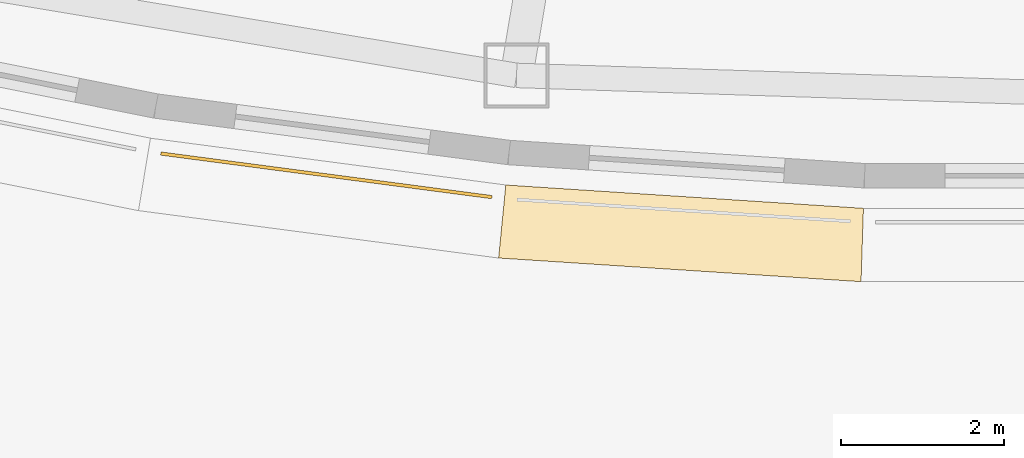
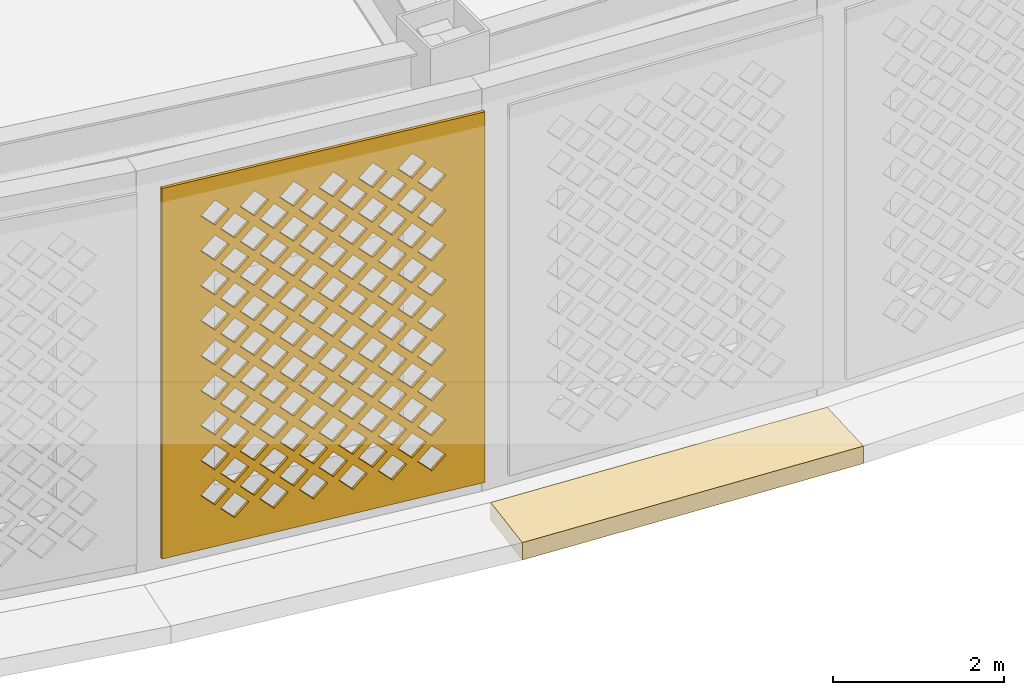
# One storey, part 55 of 74: 2 coverings.
"""IFC4 building model written with IfcOpenShell, lengths in metres."""

from ifc_helpers import new_model, si_unit, direction, frame, origin, place, context, subcontext, project, spatial, polyline, outline, extrude, material, layer, layer_set, type_object, element, save


model = new_model("IFC4")

# Units and contexts
model_context = context("Model", 3, precision=1e-05, world=origin(), true_north=direction((0.0, 1.0)))
body_context = subcontext(model_context, "Body", "Model", "MODEL_VIEW")
ifc_project = project(units=[si_unit("LENGTHUNIT", "METRE"), si_unit("AREAUNIT", "SQUARE_METRE"), si_unit("VOLUMEUNIT", "CUBIC_METRE"), si_unit("PLANEANGLEUNIT", "RADIAN"), si_unit("MASSUNIT", "GRAM", prefix="KILO")], contexts=[model_context])

# Site, building, storey
site_placement = place(None, origin())
site = spatial("IfcSite", under=ifc_project, at=site_placement, CompositionType="ELEMENT")
building_placement = place(site_placement, origin())
building = spatial("IfcBuilding", under=site, at=building_placement, Name="Noorbagh Ring Tower", CompositionType="ELEMENT")
storey_placement = place(building_placement, frame((0.0, 0.0, 7.5)))
storey = spatial("IfcBuildingStorey", under=building, at=storey_placement, Name="L01", CompositionType="ELEMENT", Elevation=7.5)

# Coverings
ifc_material_1 = material(Name="Red sandstone eave", Category="masonry")
covering_type_1 = type_object("IfcCoveringType", Name="STY-CHHAJJA", PredefinedType="USERDEFINED", material=ifc_material_1)
covering_1_placement = place(storey_placement, frame((0.0, 0.0, -0.25)))
element("IfcCovering", 1, at=covering_1_placement, inside=storey, type_object=covering_type_1, Name="Chhajja eave", ObjectType="CHHAJJA", PredefinedType="USERDEFINED", context=body_context, shape_type="SweptSolid", body=[
    extrude(outline(polyline([(-6.586181640625, -39.677978515625), (-2.198486328125, -39.964111328125), (-2.227783203125, -40.8642578125), (-6.67431640625, -40.573974609375), (-6.586181640625, -39.677978515625)])), origin(), (0.0, 0.0, 1.0), 0.25),
])
ifc_material_2 = material(Name="Red sandstone jali", Category="masonry")
ifc_layer = layer(ifc_material_2, 0.0400390625)
ifc_layer_set = layer_set([ifc_layer], Name="Red sandstone jali")
covering_type_2 = type_object("IfcCoveringType", Name="STY-JALI", PredefinedType="USERDEFINED", material=ifc_layer_set)
covering_2_placement = place(storey_placement, frame((-10.82177734375, -39.311767578125, 0.449951171875), z_axis=(-0.130559329934, -0.991440498148, 0.0), x_axis=(0.991440498148, -0.130559329934, 0.0)))
element("IfcCovering", 2, at=covering_2_placement, inside=storey, type_object=covering_type_2, Name="Jali screen", ObjectType="SCREEN", PredefinedType="USERDEFINED", context=body_context, shape_type="SweptSolid", body=[
    extrude(outline(polyline([(0.0, 0.0), (4.09716796875, 0.0), (4.09716796875, 5.300048828125), (0.0, 5.300048828125), (0.0, 0.0)]), holes=[polyline([(0.743408203125, 0.52490234375), (0.923583984375, 0.344970703125), (1.103515625, 0.52490234375), (0.923583984375, 0.705078125), (0.743408203125, 0.52490234375)]), polyline([(1.243408203125, 0.52490234375), (1.423583984375, 0.344970703125), (1.603515625, 0.52490234375), (1.423583984375, 0.705078125), (1.243408203125, 0.52490234375)]), polyline([(1.743408203125, 0.52490234375), (1.923583984375, 0.344970703125), (2.103515625, 0.52490234375), (1.923583984375, 0.705078125), (1.743408203125, 0.52490234375)]), polyline([(2.243408203125, 0.52490234375), (2.423583984375, 0.344970703125), (2.603515625, 0.52490234375), (2.423583984375, 0.705078125), (2.243408203125, 0.52490234375)]), polyline([(2.743408203125, 0.52490234375), (2.923583984375, 0.344970703125), (3.103515625, 0.52490234375), (2.923583984375, 0.705078125), (2.743408203125, 0.52490234375)]), polyline([(3.243408203125, 0.52490234375), (3.423583984375, 0.344970703125), (3.603515625, 0.52490234375), (3.423583984375, 0.705078125), (3.243408203125, 0.52490234375)]), polyline([(0.493408203125, 0.77490234375), (0.673583984375, 0.594970703125), (0.853515625, 0.77490234375), (0.673583984375, 0.955078125), (0.493408203125, 0.77490234375)]), polyline([(0.993408203125, 0.77490234375), (1.173583984375, 0.594970703125), (1.353515625, 0.77490234375), (1.173583984375, 0.955078125), (0.993408203125, 0.77490234375)]), polyline([(1.493408203125, 0.77490234375), (1.673583984375, 0.594970703125), (1.853515625, 0.77490234375), (1.673583984375, 0.955078125), (1.493408203125, 0.77490234375)]), polyline([(1.993408203125, 0.77490234375), (2.173583984375, 0.594970703125), (2.353515625, 0.77490234375), (2.173583984375, 0.955078125), (1.993408203125, 0.77490234375)]), polyline([(2.493408203125, 0.77490234375), (2.673583984375, 0.594970703125), (2.853515625, 0.77490234375), (2.673583984375, 0.955078125), (2.493408203125, 0.77490234375)]), polyline([(2.993408203125, 0.77490234375), (3.173583984375, 0.594970703125), (3.353515625, 0.77490234375), (3.173583984375, 0.955078125), (2.993408203125, 0.77490234375)]), polyline([(0.743408203125, 1.02490234375), (0.923583984375, 0.844970703125), (1.103515625, 1.02490234375), (0.923583984375, 1.205078125), (0.743408203125, 1.02490234375)]), polyline([(1.243408203125, 1.02490234375), (1.423583984375, 0.844970703125), (1.603515625, 1.02490234375), (1.423583984375, 1.205078125), (1.243408203125, 1.02490234375)]), polyline([(1.743408203125, 1.02490234375), (1.923583984375, 0.844970703125), (2.103515625, 1.02490234375), (1.923583984375, 1.205078125), (1.743408203125, 1.02490234375)]), polyline([(2.243408203125, 1.02490234375), (2.423583984375, 0.844970703125), (2.603515625, 1.02490234375), (2.423583984375, 1.205078125), (2.243408203125, 1.02490234375)]), polyline([(2.743408203125, 1.02490234375), (2.923583984375, 0.844970703125), (3.103515625, 1.02490234375), (2.923583984375, 1.205078125), (2.743408203125, 1.02490234375)]), polyline([(3.243408203125, 1.02490234375), (3.423583984375, 0.844970703125), (3.603515625, 1.02490234375), (3.423583984375, 1.205078125), (3.243408203125, 1.02490234375)]), polyline([(0.493408203125, 1.27490234375), (0.673583984375, 1.094970703125), (0.853515625, 1.27490234375), (0.673583984375, 1.455078125), (0.493408203125, 1.27490234375)]), polyline([(0.993408203125, 1.27490234375), (1.173583984375, 1.094970703125), (1.353515625, 1.27490234375), (1.173583984375, 1.455078125), (0.993408203125, 1.27490234375)]), polyline([(1.493408203125, 1.27490234375), (1.673583984375, 1.094970703125), (1.853515625, 1.27490234375), (1.673583984375, 1.455078125), (1.493408203125, 1.27490234375)]), polyline([(1.993408203125, 1.27490234375), (2.173583984375, 1.094970703125), (2.353515625, 1.27490234375), (2.173583984375, 1.455078125), (1.993408203125, 1.27490234375)]), polyline([(2.493408203125, 1.27490234375), (2.673583984375, 1.094970703125), (2.853515625, 1.27490234375), (2.673583984375, 1.455078125), (2.493408203125, 1.27490234375)]), polyline([(2.993408203125, 1.27490234375), (3.173583984375, 1.094970703125), (3.353515625, 1.27490234375), (3.173583984375, 1.455078125), (2.993408203125, 1.27490234375)]), polyline([(0.743408203125, 1.52490234375), (0.923583984375, 1.344970703125), (1.103515625, 1.52490234375), (0.923583984375, 1.705078125), (0.743408203125, 1.52490234375)]), polyline([(1.243408203125, 1.52490234375), (1.423583984375, 1.344970703125), (1.603515625, 1.52490234375), (1.423583984375, 1.705078125), (1.243408203125, 1.52490234375)]), polyline([(1.743408203125, 1.52490234375), (1.923583984375, 1.344970703125), (2.103515625, 1.52490234375), (1.923583984375, 1.705078125), (1.743408203125, 1.52490234375)]), polyline([(2.243408203125, 1.52490234375), (2.423583984375, 1.344970703125), (2.603515625, 1.52490234375), (2.423583984375, 1.705078125), (2.243408203125, 1.52490234375)]), polyline([(2.743408203125, 1.52490234375), (2.923583984375, 1.344970703125), (3.103515625, 1.52490234375), (2.923583984375, 1.705078125), (2.743408203125, 1.52490234375)]), polyline([(3.243408203125, 1.52490234375), (3.423583984375, 1.344970703125), (3.603515625, 1.52490234375), (3.423583984375, 1.705078125), (3.243408203125, 1.52490234375)]), polyline([(0.493408203125, 1.77490234375), (0.673583984375, 1.594970703125), (0.853515625, 1.77490234375), (0.673583984375, 1.955078125), (0.493408203125, 1.77490234375)]), polyline([(0.993408203125, 1.77490234375), (1.173583984375, 1.594970703125), (1.353515625, 1.77490234375), (1.173583984375, 1.955078125), (0.993408203125, 1.77490234375)]), polyline([(1.493408203125, 1.77490234375), (1.673583984375, 1.594970703125), (1.853515625, 1.77490234375), (1.673583984375, 1.955078125), (1.493408203125, 1.77490234375)]), polyline([(1.993408203125, 1.77490234375), (2.173583984375, 1.594970703125), (2.353515625, 1.77490234375), (2.173583984375, 1.955078125), (1.993408203125, 1.77490234375)]), polyline([(2.493408203125, 1.77490234375), (2.673583984375, 1.594970703125), (2.853515625, 1.77490234375), (2.673583984375, 1.955078125), (2.493408203125, 1.77490234375)]), polyline([(2.993408203125, 1.77490234375), (3.173583984375, 1.594970703125), (3.353515625, 1.77490234375), (3.173583984375, 1.955078125), (2.993408203125, 1.77490234375)]), polyline([(0.743408203125, 2.02490234375), (0.923583984375, 1.844970703125), (1.103515625, 2.02490234375), (0.923583984375, 2.205078125), (0.743408203125, 2.02490234375)]), polyline([(1.243408203125, 2.02490234375), (1.423583984375, 1.844970703125), (1.603515625, 2.02490234375), (1.423583984375, 2.205078125), (1.243408203125, 2.02490234375)]), polyline([(1.743408203125, 2.02490234375), (1.923583984375, 1.844970703125), (2.103515625, 2.02490234375), (1.923583984375, 2.205078125), (1.743408203125, 2.02490234375)]), polyline([(2.243408203125, 2.02490234375), (2.423583984375, 1.844970703125), (2.603515625, 2.02490234375), (2.423583984375, 2.205078125), (2.243408203125, 2.02490234375)]), polyline([(2.743408203125, 2.02490234375), (2.923583984375, 1.844970703125), (3.103515625, 2.02490234375), (2.923583984375, 2.205078125), (2.743408203125, 2.02490234375)]), polyline([(3.243408203125, 2.02490234375), (3.423583984375, 1.844970703125), (3.603515625, 2.02490234375), (3.423583984375, 2.205078125), (3.243408203125, 2.02490234375)]), polyline([(0.493408203125, 2.27490234375), (0.673583984375, 2.094970703125), (0.853515625, 2.27490234375), (0.673583984375, 2.455078125), (0.493408203125, 2.27490234375)]), polyline([(0.993408203125, 2.27490234375), (1.173583984375, 2.094970703125), (1.353515625, 2.27490234375), (1.173583984375, 2.455078125), (0.993408203125, 2.27490234375)]), polyline([(1.493408203125, 2.27490234375), (1.673583984375, 2.094970703125), (1.853515625, 2.27490234375), (1.673583984375, 2.455078125), (1.493408203125, 2.27490234375)]), polyline([(1.993408203125, 2.27490234375), (2.173583984375, 2.094970703125), (2.353515625, 2.27490234375), (2.173583984375, 2.455078125), (1.993408203125, 2.27490234375)]), polyline([(2.493408203125, 2.27490234375), (2.673583984375, 2.094970703125), (2.853515625, 2.27490234375), (2.673583984375, 2.455078125), (2.493408203125, 2.27490234375)]), polyline([(2.993408203125, 2.27490234375), (3.173583984375, 2.094970703125), (3.353515625, 2.27490234375), (3.173583984375, 2.455078125), (2.993408203125, 2.27490234375)]), polyline([(0.743408203125, 2.52490234375), (0.923583984375, 2.344970703125), (1.103515625, 2.52490234375), (0.923583984375, 2.705078125), (0.743408203125, 2.52490234375)]), polyline([(1.243408203125, 2.52490234375), (1.423583984375, 2.344970703125), (1.603515625, 2.52490234375), (1.423583984375, 2.705078125), (1.243408203125, 2.52490234375)]), polyline([(1.743408203125, 2.52490234375), (1.923583984375, 2.344970703125), (2.103515625, 2.52490234375), (1.923583984375, 2.705078125), (1.743408203125, 2.52490234375)]), polyline([(2.243408203125, 2.52490234375), (2.423583984375, 2.344970703125), (2.603515625, 2.52490234375), (2.423583984375, 2.705078125), (2.243408203125, 2.52490234375)]), polyline([(2.743408203125, 2.52490234375), (2.923583984375, 2.344970703125), (3.103515625, 2.52490234375), (2.923583984375, 2.705078125), (2.743408203125, 2.52490234375)]), polyline([(3.243408203125, 2.52490234375), (3.423583984375, 2.344970703125), (3.603515625, 2.52490234375), (3.423583984375, 2.705078125), (3.243408203125, 2.52490234375)]), polyline([(0.493408203125, 2.77490234375), (0.673583984375, 2.594970703125), (0.853515625, 2.77490234375), (0.673583984375, 2.955078125), (0.493408203125, 2.77490234375)]), polyline([(0.993408203125, 2.77490234375), (1.173583984375, 2.594970703125), (1.353515625, 2.77490234375), (1.173583984375, 2.955078125), (0.993408203125, 2.77490234375)]), polyline([(1.493408203125, 2.77490234375), (1.673583984375, 2.594970703125), (1.853515625, 2.77490234375), (1.673583984375, 2.955078125), (1.493408203125, 2.77490234375)]), polyline([(1.993408203125, 2.77490234375), (2.173583984375, 2.594970703125), (2.353515625, 2.77490234375), (2.173583984375, 2.955078125), (1.993408203125, 2.77490234375)]), polyline([(2.493408203125, 2.77490234375), (2.673583984375, 2.594970703125), (2.853515625, 2.77490234375), (2.673583984375, 2.955078125), (2.493408203125, 2.77490234375)]), polyline([(2.993408203125, 2.77490234375), (3.173583984375, 2.594970703125), (3.353515625, 2.77490234375), (3.173583984375, 2.955078125), (2.993408203125, 2.77490234375)]), polyline([(0.743408203125, 3.02490234375), (0.923583984375, 2.844970703125), (1.103515625, 3.02490234375), (0.923583984375, 3.205078125), (0.743408203125, 3.02490234375)]), polyline([(1.243408203125, 3.02490234375), (1.423583984375, 2.844970703125), (1.603515625, 3.02490234375), (1.423583984375, 3.205078125), (1.243408203125, 3.02490234375)]), polyline([(1.743408203125, 3.02490234375), (1.923583984375, 2.844970703125), (2.103515625, 3.02490234375), (1.923583984375, 3.205078125), (1.743408203125, 3.02490234375)]), polyline([(2.243408203125, 3.02490234375), (2.423583984375, 2.844970703125), (2.603515625, 3.02490234375), (2.423583984375, 3.205078125), (2.243408203125, 3.02490234375)]), polyline([(2.743408203125, 3.02490234375), (2.923583984375, 2.844970703125), (3.103515625, 3.02490234375), (2.923583984375, 3.205078125), (2.743408203125, 3.02490234375)]), polyline([(3.243408203125, 3.02490234375), (3.423583984375, 2.844970703125), (3.603515625, 3.02490234375), (3.423583984375, 3.205078125), (3.243408203125, 3.02490234375)]), polyline([(0.493408203125, 3.27490234375), (0.673583984375, 3.094970703125), (0.853515625, 3.27490234375), (0.673583984375, 3.455078125), (0.493408203125, 3.27490234375)]), polyline([(0.993408203125, 3.27490234375), (1.173583984375, 3.094970703125), (1.353515625, 3.27490234375), (1.173583984375, 3.455078125), (0.993408203125, 3.27490234375)]), polyline([(1.493408203125, 3.27490234375), (1.673583984375, 3.094970703125), (1.853515625, 3.27490234375), (1.673583984375, 3.455078125), (1.493408203125, 3.27490234375)]), polyline([(1.993408203125, 3.27490234375), (2.173583984375, 3.094970703125), (2.353515625, 3.27490234375), (2.173583984375, 3.455078125), (1.993408203125, 3.27490234375)]), polyline([(2.493408203125, 3.27490234375), (2.673583984375, 3.094970703125), (2.853515625, 3.27490234375), (2.673583984375, 3.455078125), (2.493408203125, 3.27490234375)]), polyline([(2.993408203125, 3.27490234375), (3.173583984375, 3.094970703125), (3.353515625, 3.27490234375), (3.173583984375, 3.455078125), (2.993408203125, 3.27490234375)]), polyline([(0.743408203125, 3.52490234375), (0.923583984375, 3.344970703125), (1.103515625, 3.52490234375), (0.923583984375, 3.705078125), (0.743408203125, 3.52490234375)]), polyline([(1.243408203125, 3.52490234375), (1.423583984375, 3.344970703125), (1.603515625, 3.52490234375), (1.423583984375, 3.705078125), (1.243408203125, 3.52490234375)]), polyline([(1.743408203125, 3.52490234375), (1.923583984375, 3.344970703125), (2.103515625, 3.52490234375), (1.923583984375, 3.705078125), (1.743408203125, 3.52490234375)]), polyline([(2.243408203125, 3.52490234375), (2.423583984375, 3.344970703125), (2.603515625, 3.52490234375), (2.423583984375, 3.705078125), (2.243408203125, 3.52490234375)]), polyline([(2.743408203125, 3.52490234375), (2.923583984375, 3.344970703125), (3.103515625, 3.52490234375), (2.923583984375, 3.705078125), (2.743408203125, 3.52490234375)]), polyline([(3.243408203125, 3.52490234375), (3.423583984375, 3.344970703125), (3.603515625, 3.52490234375), (3.423583984375, 3.705078125), (3.243408203125, 3.52490234375)]), polyline([(0.493408203125, 3.77490234375), (0.673583984375, 3.594970703125), (0.853515625, 3.77490234375), (0.673583984375, 3.955078125), (0.493408203125, 3.77490234375)]), polyline([(0.993408203125, 3.77490234375), (1.173583984375, 3.594970703125), (1.353515625, 3.77490234375), (1.173583984375, 3.955078125), (0.993408203125, 3.77490234375)]), polyline([(1.493408203125, 3.77490234375), (1.673583984375, 3.594970703125), (1.853515625, 3.77490234375), (1.673583984375, 3.955078125), (1.493408203125, 3.77490234375)]), polyline([(1.993408203125, 3.77490234375), (2.173583984375, 3.594970703125), (2.353515625, 3.77490234375), (2.173583984375, 3.955078125), (1.993408203125, 3.77490234375)]), polyline([(2.493408203125, 3.77490234375), (2.673583984375, 3.594970703125), (2.853515625, 3.77490234375), (2.673583984375, 3.955078125), (2.493408203125, 3.77490234375)]), polyline([(2.993408203125, 3.77490234375), (3.173583984375, 3.594970703125), (3.353515625, 3.77490234375), (3.173583984375, 3.955078125), (2.993408203125, 3.77490234375)]), polyline([(0.743408203125, 4.02490234375), (0.923583984375, 3.844970703125), (1.103515625, 4.02490234375), (0.923583984375, 4.205078125), (0.743408203125, 4.02490234375)]), polyline([(1.243408203125, 4.02490234375), (1.423583984375, 3.844970703125), (1.603515625, 4.02490234375), (1.423583984375, 4.205078125), (1.243408203125, 4.02490234375)]), polyline([(1.743408203125, 4.02490234375), (1.923583984375, 3.844970703125), (2.103515625, 4.02490234375), (1.923583984375, 4.205078125), (1.743408203125, 4.02490234375)]), polyline([(2.243408203125, 4.02490234375), (2.423583984375, 3.844970703125), (2.603515625, 4.02490234375), (2.423583984375, 4.205078125), (2.243408203125, 4.02490234375)]), polyline([(2.743408203125, 4.02490234375), (2.923583984375, 3.844970703125), (3.103515625, 4.02490234375), (2.923583984375, 4.205078125), (2.743408203125, 4.02490234375)]), polyline([(3.243408203125, 4.02490234375), (3.423583984375, 3.844970703125), (3.603515625, 4.02490234375), (3.423583984375, 4.205078125), (3.243408203125, 4.02490234375)]), polyline([(0.493408203125, 4.27490234375), (0.673583984375, 4.094970703125), (0.853515625, 4.27490234375), (0.673583984375, 4.455078125), (0.493408203125, 4.27490234375)]), polyline([(0.993408203125, 4.27490234375), (1.173583984375, 4.094970703125), (1.353515625, 4.27490234375), (1.173583984375, 4.455078125), (0.993408203125, 4.27490234375)]), polyline([(1.493408203125, 4.27490234375), (1.673583984375, 4.094970703125), (1.853515625, 4.27490234375), (1.673583984375, 4.455078125), (1.493408203125, 4.27490234375)]), polyline([(1.993408203125, 4.27490234375), (2.173583984375, 4.094970703125), (2.353515625, 4.27490234375), (2.173583984375, 4.455078125), (1.993408203125, 4.27490234375)]), polyline([(2.493408203125, 4.27490234375), (2.673583984375, 4.094970703125), (2.853515625, 4.27490234375), (2.673583984375, 4.455078125), (2.493408203125, 4.27490234375)]), polyline([(2.993408203125, 4.27490234375), (3.173583984375, 4.094970703125), (3.353515625, 4.27490234375), (3.173583984375, 4.455078125), (2.993408203125, 4.27490234375)]), polyline([(0.743408203125, 4.52490234375), (0.923583984375, 4.344970703125), (1.103515625, 4.52490234375), (0.923583984375, 4.705078125), (0.743408203125, 4.52490234375)]), polyline([(1.243408203125, 4.52490234375), (1.423583984375, 4.344970703125), (1.603515625, 4.52490234375), (1.423583984375, 4.705078125), (1.243408203125, 4.52490234375)]), polyline([(1.743408203125, 4.52490234375), (1.923583984375, 4.344970703125), (2.103515625, 4.52490234375), (1.923583984375, 4.705078125), (1.743408203125, 4.52490234375)]), polyline([(2.243408203125, 4.52490234375), (2.423583984375, 4.344970703125), (2.603515625, 4.52490234375), (2.423583984375, 4.705078125), (2.243408203125, 4.52490234375)]), polyline([(2.743408203125, 4.52490234375), (2.923583984375, 4.344970703125), (3.103515625, 4.52490234375), (2.923583984375, 4.705078125), (2.743408203125, 4.52490234375)]), polyline([(3.243408203125, 4.52490234375), (3.423583984375, 4.344970703125), (3.603515625, 4.52490234375), (3.423583984375, 4.705078125), (3.243408203125, 4.52490234375)]), polyline([(0.493408203125, 4.77490234375), (0.673583984375, 4.594970703125), (0.853515625, 4.77490234375), (0.673583984375, 4.955078125), (0.493408203125, 4.77490234375)]), polyline([(0.993408203125, 4.77490234375), (1.173583984375, 4.594970703125), (1.353515625, 4.77490234375), (1.173583984375, 4.955078125), (0.993408203125, 4.77490234375)]), polyline([(1.493408203125, 4.77490234375), (1.673583984375, 4.594970703125), (1.853515625, 4.77490234375), (1.673583984375, 4.955078125), (1.493408203125, 4.77490234375)]), polyline([(1.993408203125, 4.77490234375), (2.173583984375, 4.594970703125), (2.353515625, 4.77490234375), (2.173583984375, 4.955078125), (1.993408203125, 4.77490234375)]), polyline([(2.493408203125, 4.77490234375), (2.673583984375, 4.594970703125), (2.853515625, 4.77490234375), (2.673583984375, 4.955078125), (2.493408203125, 4.77490234375)]), polyline([(2.993408203125, 4.77490234375), (3.173583984375, 4.594970703125), (3.353515625, 4.77490234375), (3.173583984375, 4.955078125), (2.993408203125, 4.77490234375)])]), origin(), (0.0, 0.0, -1.0), 0.0400390625),
])

save(model, "model.ifc")
